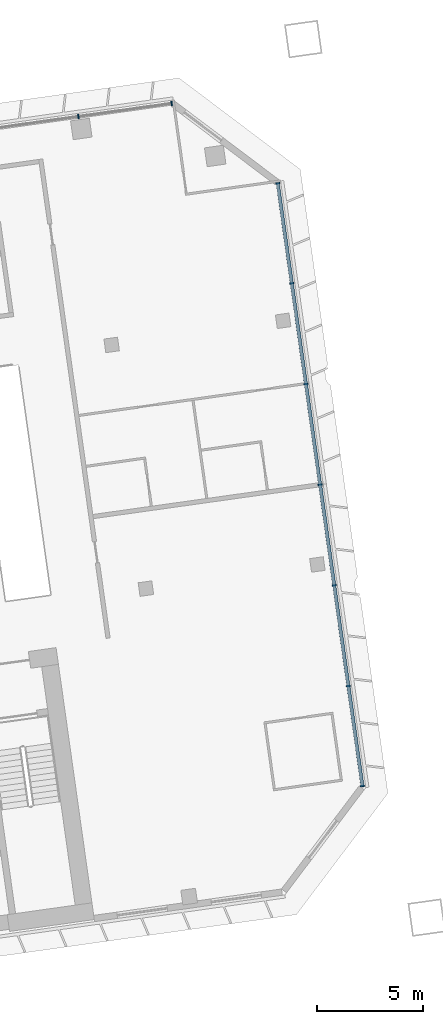
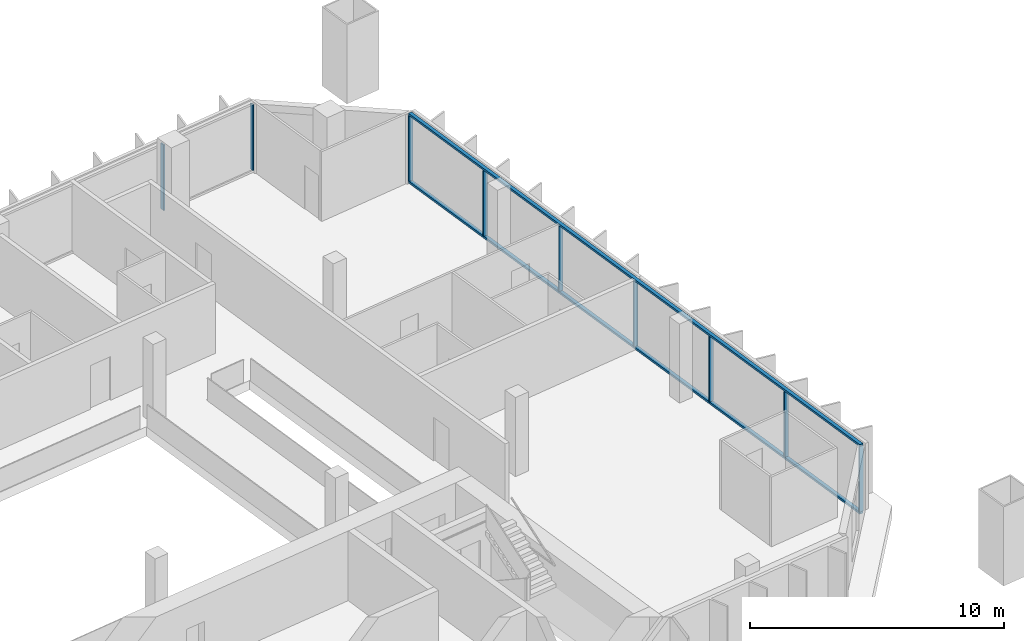
# One storey, part 11 of 25: 11 members, 2 elements without a shape of their own.
"""IFC4 building model written with IfcOpenShell, lengths in metres."""

from ifc_helpers import new_model, si_unit, direction, frame, origin, origin_2d, place, context, subcontext, project, spatial, rectangle, extrude, material, material_profile, profile_set, type_object, element, aggregate, save


model = new_model("IFC4")

# Units and contexts
model_context = context("Model", 3, precision=1e-05, world=origin(), true_north=direction((0.0, 1.0)))
body_context = subcontext(model_context, "Body", "Model", "MODEL_VIEW")
ifc_project = project(units=[si_unit("LENGTHUNIT", "METRE"), si_unit("AREAUNIT", "SQUARE_METRE"), si_unit("VOLUMEUNIT", "CUBIC_METRE"), si_unit("PLANEANGLEUNIT", "RADIAN"), si_unit("MASSUNIT", "GRAM", prefix="KILO")], contexts=[model_context])

# Site, building, storey
site_placement = place(None, origin())
site = spatial("IfcSite", under=ifc_project, at=site_placement, CompositionType="ELEMENT")
building_placement = place(site_placement, origin())
building = spatial("IfcBuilding", under=site, at=building_placement, Name="Mirante Cascada Hotel Towers", CompositionType="ELEMENT")
storey_placement = place(building_placement, frame((0.0, 0.0, 136.7)))
storey = spatial("IfcBuildingStorey", under=building, at=storey_placement, Name="L31", CompositionType="ELEMENT", Elevation=136.7)

# Curtain wall, members
ifc_material_1 = material(Name="Aluminium mullion and transom frame with clear laminated glass", Category="aluminium")
curtain_wall_type_1 = type_object("IfcCurtainWallType", Name="Ribbon curtain wall ECW1", PredefinedType="NOTDEFINED", material=ifc_material_1)
curtain_wall_1_placement = place(storey_placement, origin())
curtain_wall_1 = element("IfcCurtainWall", 1, at=curtain_wall_1_placement, inside=storey, type_object=curtain_wall_type_1, Name="Front ribbon wall T2 L31", PredefinedType="NOTDEFINED")
ifc_material_2 = material(Name="Anodised aluminium extrusion", Category="aluminium")
ifc_material_profile_1 = material_profile(ifc_material_2, rectangle(XDim=0.2, YDim=0.065, at=origin_2d()), Name="ECW1 MULLION 65x200")
ifc_profile_set_1 = profile_set([ifc_material_profile_1], Name="Anodised aluminium extrusion")
member_type_1 = type_object("IfcMemberType", Name="ECW1 mullion 65x200", PredefinedType="MULLION", material=ifc_profile_set_1)
member_1_placement = place(storey_placement, frame((94.126, 26.0476, 0.1), z_axis=(0.0, 0.0, 1.0), x_axis=(0.1391731, -0.9902681, 0.0)))
member_1 = element("IfcMember", 2, at=member_1_placement, type_object=member_type_1, Name="ECW1 mullion 1", PredefinedType="MULLION", context=body_context, shape_type="SweptSolid", body=[
    extrude(rectangle(XDim=0.2, YDim=0.065, at=origin_2d()), origin(), (0.0, 0.0, 1.0), 3.15),
])
member_2_placement = place(storey_placement, frame((89.7107, 25.427, 0.1), z_axis=(0.0, 0.0, 1.0), x_axis=(0.1391731, -0.9902681, 0.0)))
member_2 = element("IfcMember", 3, at=member_2_placement, type_object=member_type_1, Name="ECW1 mullion 2", PredefinedType="MULLION", context=body_context, shape_type="SweptSolid", body=[
    extrude(rectangle(XDim=0.2, YDim=0.065, at=origin_2d()), origin(), (0.0, 0.0, 1.0), 3.15),
])
aggregate(curtain_wall_1, [member_1, member_2])

ifc_material_3 = material(Name="Aluminium mullion and transom frame with clear laminated glass", Category="aluminium")
curtain_wall_type_2 = type_object("IfcCurtainWallType", Name="End ribbon curtain wall ECW2", PredefinedType="NOTDEFINED", material=ifc_material_3)
curtain_wall_2_placement = place(storey_placement, origin())
curtain_wall_2 = element("IfcCurtainWall", 4, at=curtain_wall_2_placement, inside=storey, type_object=curtain_wall_type_2, Name="Outer end wall T2 L31", PredefinedType="NOTDEFINED")
ifc_material_4 = material(Name="Anodised aluminium extrusion", Category="aluminium")
ifc_material_profile_2 = material_profile(ifc_material_4, rectangle(XDim=0.2, YDim=0.065, at=origin_2d()), Name="ECW2 MULLION 65x200")
ifc_profile_set_2 = profile_set([ifc_material_profile_2], Name="Anodised aluminium extrusion")
member_type_2 = type_object("IfcMemberType", Name="ECW2 mullion 65x200", PredefinedType="MULLION", material=ifc_profile_set_2)
member_3_placement = place(storey_placement, frame((103.1556, -6.2656, 0.1), z_axis=(0.0, 0.0, 1.0), x_axis=(-0.9902681, -0.1391731, 0.0)))
member_3 = element("IfcMember", 5, at=member_3_placement, type_object=member_type_2, Name="ECW2 mullion 1", PredefinedType="MULLION", context=body_context, shape_type="SweptSolid", body=[
    extrude(rectangle(XDim=0.2, YDim=0.065, at=origin_2d()), origin(), (0.0, 0.0, 1.0), 3.15),
])
member_4_placement = place(storey_placement, frame((102.4903, -1.532, 0.1), z_axis=(0.0, 0.0, 1.0), x_axis=(-0.9902681, -0.1391731, 0.0)))
member_4 = element("IfcMember", 6, at=member_4_placement, type_object=member_type_2, Name="ECW2 mullion 2", PredefinedType="MULLION", context=body_context, shape_type="SweptSolid", body=[
    extrude(rectangle(XDim=0.2, YDim=0.065, at=origin_2d()), origin(), (0.0, 0.0, 1.0), 3.15),
])
member_5_placement = place(storey_placement, frame((101.8205, 3.2338, 0.1), z_axis=(0.0, 0.0, 1.0), x_axis=(-0.9902681, -0.1391731, 0.0)))
member_5 = element("IfcMember", 7, at=member_5_placement, type_object=member_type_2, Name="ECW2 mullion 3", PredefinedType="MULLION", context=body_context, shape_type="SweptSolid", body=[
    extrude(rectangle(XDim=0.2, YDim=0.065, at=origin_2d()), origin(), (0.0, 0.0, 1.0), 3.15),
])
member_6_placement = place(storey_placement, frame((101.1508, 7.9996, 0.1), z_axis=(0.0, 0.0, 1.0), x_axis=(-0.9902681, -0.1391731, 0.0)))
member_6 = element("IfcMember", 8, at=member_6_placement, type_object=member_type_2, Name="ECW2 mullion 4", PredefinedType="MULLION", context=body_context, shape_type="SweptSolid", body=[
    extrude(rectangle(XDim=0.2, YDim=0.065, at=origin_2d()), origin(), (0.0, 0.0, 1.0), 3.15),
])
member_7_placement = place(storey_placement, frame((100.481, 12.7654, 0.1), z_axis=(0.0, 0.0, 1.0), x_axis=(-0.9902681, -0.1391731, 0.0)))
member_7 = element("IfcMember", 9, at=member_7_placement, type_object=member_type_2, Name="ECW2 mullion 5", PredefinedType="MULLION", context=body_context, shape_type="SweptSolid", body=[
    extrude(rectangle(XDim=0.2, YDim=0.065, at=origin_2d()), origin(), (0.0, 0.0, 1.0), 3.15),
])
member_8_placement = place(storey_placement, frame((99.8112, 17.5312, 0.1), z_axis=(0.0, 0.0, 1.0), x_axis=(-0.9902681, -0.1391731, 0.0)))
member_8 = element("IfcMember", 10, at=member_8_placement, type_object=member_type_2, Name="ECW2 mullion 6", PredefinedType="MULLION", context=body_context, shape_type="SweptSolid", body=[
    extrude(rectangle(XDim=0.2, YDim=0.065, at=origin_2d()), origin(), (0.0, 0.0, 1.0), 3.15),
])
member_9_placement = place(storey_placement, frame((99.1459, 22.2648, 0.1), z_axis=(0.0, 0.0, 1.0), x_axis=(-0.9902681, -0.1391731, 0.0)))
member_9 = element("IfcMember", 11, at=member_9_placement, type_object=member_type_2, Name="ECW2 mullion 7", PredefinedType="MULLION", context=body_context, shape_type="SweptSolid", body=[
    extrude(rectangle(XDim=0.2, YDim=0.065, at=origin_2d()), origin(), (0.0, 0.0, 1.0), 3.15),
])
ifc_material_5 = material(Name="Anodised aluminium extrusion", Category="aluminium")
ifc_material_profile_3 = material_profile(ifc_material_5, rectangle(XDim=0.16, YDim=0.1, at=origin_2d()), Name="ECW2 TRANSOM 100x160")
ifc_profile_set_3 = profile_set([ifc_material_profile_3], Name="Anodised aluminium extrusion")
member_type_3 = type_object("IfcMemberType", Name="ECW2 transom 100x160", PredefinedType="USERDEFINED", material=ifc_profile_set_3)
member_10_placement = place(storey_placement, frame((103.1601, -6.2978, 0.05), z_axis=(-0.1391723, 0.9902682, 0.0), x_axis=(-0.9902682, -0.1391723, 0.0)))
member_10 = element("IfcMember", 12, at=member_10_placement, type_object=member_type_3, Name="ECW2 sill transom", ObjectType="TRANSOM", PredefinedType="USERDEFINED", context=body_context, shape_type="SweptSolid", body=[
    extrude(rectangle(XDim=0.16, YDim=0.1, at=origin_2d()), origin(), (0.0, 0.0, 1.0), 28.8757),
])
member_11_placement = place(storey_placement, frame((103.1601, -6.2978, 3.3), z_axis=(-0.1391723, 0.9902682, 0.0), x_axis=(-0.9902682, -0.1391723, 0.0)))
member_11 = element("IfcMember", 13, at=member_11_placement, type_object=member_type_3, Name="ECW2 head transom", ObjectType="TRANSOM", PredefinedType="USERDEFINED", context=body_context, shape_type="SweptSolid", body=[
    extrude(rectangle(XDim=0.16, YDim=0.1, at=origin_2d()), origin(), (0.0, 0.0, 1.0), 28.8757),
])
aggregate(curtain_wall_2, [member_10, member_11, member_3, member_4, member_5, member_6, member_7, member_8, member_9])

save(model, "model.ifc")
